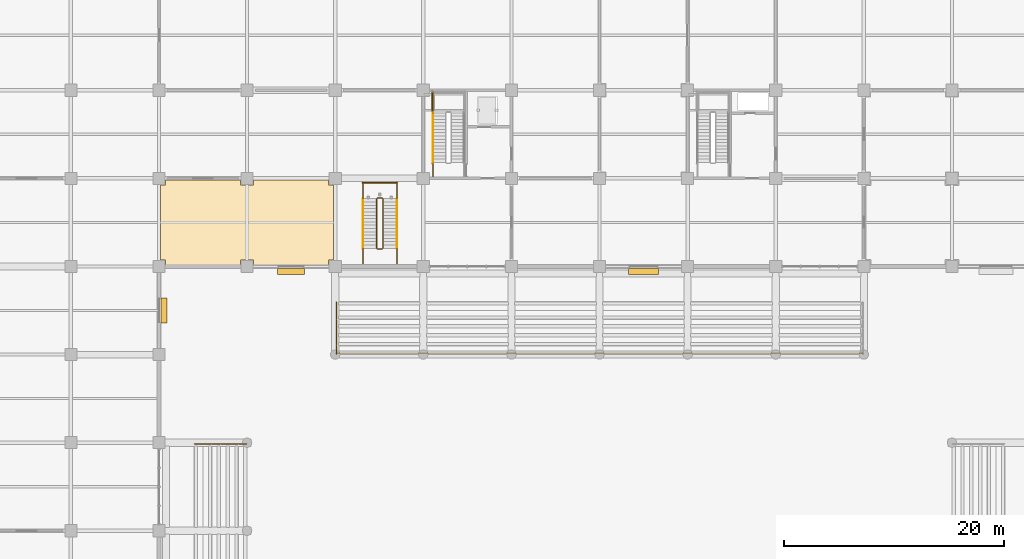
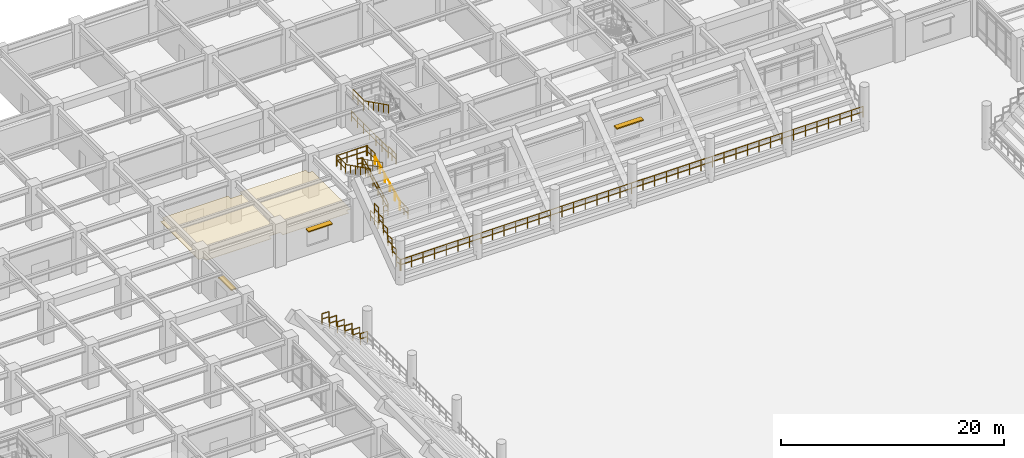
# One storey, part 121 of 125: 28 railings, 3 shading devices, 1 covering.
"""IFC4 building model written with IfcOpenShell, lengths in metres."""

import ifcopenshell
import ifcopenshell.guid

model = None  # the IFC model being written
_history = None  # IfcOwnerHistory: only IFC2X3 demands one
_inside = {}  # id of a spatial element -> (the spatial element, [elements in it])
_under = {}  # id of a project, library or spatial element -> (it, [spatial elements below it])
_declared = {}  # id of a project -> (the project, [libraries it declares])
_typed = {}  # id of a type object -> (the type object, [elements of that type])
_made_of = {}  # id of a material, layer set ... -> (it, [elements and type objects made of it])


def new_model(schema):
    """Start an empty IFC model of exactly this schema.

    Asked for "IFC4X3", IfcOpenShell would pick the latest addendum, in which some entities
    have other attributes; the version numbers below select the first issue.
    IFC2X3 requires an IfcOwnerHistory on every rooted entity: one is made here for all.
    """
    global model, _history
    if schema == "IFC4X3":
        model = ifcopenshell.file(schema_version=(4, 3, 0, 0))
    else:
        model = ifcopenshell.file(schema=schema)
    _inside.clear()
    _under.clear()
    _declared.clear()
    _typed.clear()
    _made_of.clear()
    _history = None
    if model.schema == "IFC2X3":
        org = make("IfcOrganization", Name="unknown")
        user = make(
            "IfcPersonAndOrganization",
            ThePerson=make("IfcPerson", FamilyName="unknown"),
            TheOrganization=org,
        )
        app = make(
            "IfcApplication",
            ApplicationDeveloper=org,
            Version="unknown",
            ApplicationFullName="unknown",
            ApplicationIdentifier="unknown",
        )
        _history = make(
            "IfcOwnerHistory",
            OwningUser=user,
            OwningApplication=app,
            ChangeAction="ADDED",
            CreationDate=0,
        )
    return model


def make(cls, **values):
    """One entity of the class cls with the attributes given. An attribute that is None is left unset."""
    return model.create_entity(
        cls, **{name: value for name, value in values.items() if value is not None}
    )


def rooted(cls, **values):
    """An entity with a GlobalId (a new one), such as an element, a storey or a relation."""
    return make(cls, GlobalId=ifcopenshell.guid.new(), OwnerHistory=_history, **values)


def si_unit(unit_type, name, prefix=None):
    """IfcSIUnit, for example si_unit("LENGTHUNIT", "METRE", prefix="MILLI")."""
    return make("IfcSIUnit", UnitType=unit_type, Prefix=prefix, Name=name)


def assignment(units):
    """IfcUnitAssignment: the units of a project."""
    return None if units is None else make("IfcUnitAssignment", Units=units)


def point(xyz):
    """IfcCartesianPoint."""
    return None if xyz is None else make("IfcCartesianPoint", Coordinates=xyz)


def direction(xyz):
    """IfcDirection."""
    return None if xyz is None else make("IfcDirection", DirectionRatios=xyz)


def frame(location, z_axis=None, x_axis=None):
    """IfcAxis2Placement3D, a coordinate frame: its origin and axes. An axis left out is left unset."""
    return make(
        "IfcAxis2Placement3D",
        Location=point(location),
        Axis=direction(z_axis),
        RefDirection=direction(x_axis),
    )


def frame_2d(location, x_axis=None):
    """IfcAxis2Placement2D, a coordinate frame in the plane: its origin and x axis."""
    return make(
        "IfcAxis2Placement2D", Location=point(location), RefDirection=direction(x_axis)
    )


def origin():
    """The frame at (0, 0, 0) with its axes left unset."""
    return frame((0.0, 0.0, 0.0))


def origin_2d():
    """The frame at (0, 0) in the plane with its x axis left unset."""
    return frame_2d((0.0, 0.0))


def place(relative_to, where):
    """IfcLocalPlacement: puts the frame where relative to a parent placement (None: the world)."""
    return make(
        "IfcLocalPlacement", PlacementRelTo=relative_to, RelativePlacement=where
    )


def context(
    kind, dimensions, precision=None, world=None, true_north=None, identifier=None
):
    """IfcGeometricRepresentationContext, for example the 3D "Model" context."""
    return make(
        "IfcGeometricRepresentationContext",
        ContextIdentifier=identifier,
        ContextType=kind,
        CoordinateSpaceDimension=dimensions,
        Precision=precision,
        WorldCoordinateSystem=world,
        TrueNorth=true_north,
    )


def subcontext(parent, identifier, kind, view, scale=None):
    """IfcGeometricRepresentationSubContext, for example "Body" below "Model"."""
    return make(
        "IfcGeometricRepresentationSubContext",
        ContextIdentifier=identifier,
        ContextType=kind,
        ParentContext=parent,
        TargetScale=scale,
        TargetView=view,
    )


def project(units=None, contexts=None):
    """IfcProject with its units and contexts."""
    return rooted(
        "IfcProject",
        Name="project",
        RepresentationContexts=contexts,
        UnitsInContext=assignment(units),
    )


def spatial(cls, under=None, at=None, **own):
    """A site, building, storey or space (cls), placed at a placement, below another one or the project."""
    s = rooted(cls, ObjectPlacement=at, **own)
    if under is not None:
        _under.setdefault(under.id(), (under, []))[1].append(s)
    return s


def polyline(points):
    """IfcPolyline through the points."""
    return make("IfcPolyline", Points=[point(p) for p in points])


def profile(cls, at=None, kind="AREA", **sizes):
    """A parametric profile (cls). Its sizes go by their IFC names, for example OverallWidth=200.0."""
    return make(cls, ProfileType=kind, Position=at, **sizes)


def rectangle(**sizes):
    """IfcRectangleProfileDef."""
    return profile("IfcRectangleProfileDef", **sizes)


def circle(**sizes):
    """IfcCircleProfileDef."""
    return profile("IfcCircleProfileDef", **sizes)


def outline(outer, holes=None, kind="AREA"):
    """IfcArbitraryClosedProfileDef: a profile drawn as a closed curve; with holes, ...WithVoids."""
    if holes is None:
        return make("IfcArbitraryClosedProfileDef", ProfileType=kind, OuterCurve=outer)
    return make(
        "IfcArbitraryProfileDefWithVoids",
        ProfileType=kind,
        OuterCurve=outer,
        InnerCurves=holes,
    )


def extrude(swept, where, along, depth):
    """IfcExtrudedAreaSolid: the profile swept, set in the frame where, extruded along a direction by depth."""
    return make(
        "IfcExtrudedAreaSolid",
        SweptArea=swept,
        Position=where,
        ExtrudedDirection=direction(along),
        Depth=depth,
    )


def shape(context_of_items, identifier, shape_type, items):
    """IfcShapeRepresentation: the items that make up one representation, for example the "Body"."""
    return make(
        "IfcShapeRepresentation",
        ContextOfItems=context_of_items,
        RepresentationIdentifier=identifier,
        RepresentationType=shape_type,
        Items=items,
    )


def material(Name=None, Category=None):
    """IfcMaterial."""
    return make("IfcMaterial", Name=Name, Category=Category)


def layer(
    of_material, thickness, ventilated=None, Name=None, Category=None, Priority=None
):
    """IfcMaterialLayer: one layer of a wall or slab, of a material (None: an air gap)."""
    return make(
        "IfcMaterialLayer",
        Material=of_material,
        LayerThickness=thickness,
        IsVentilated=ventilated,
        Name=Name,
        Category=Category,
        Priority=Priority,
    )


def layer_set(layers, Name=None):
    """IfcMaterialLayerSet."""
    return make("IfcMaterialLayerSet", MaterialLayers=layers, LayerSetName=Name)


def made_of(thing, what):
    """Note that an element or type object is made of a material, layer set ...; save() writes the relation."""
    if what is not None:
        _made_of.setdefault(what.id(), (what, []))[1].append(thing)
    return thing


def type_object(cls, material=None, **own):
    """A type object (cls), such as IfcWallType, which elements share."""
    return made_of(rooted(cls, **own), material)


def element(
    cls,
    number,
    at=None,
    inside=None,
    cuts=None,
    type_object=None,
    material=None,
    context=None,
    identifier="Body",
    shape_type=None,
    held_by="IfcProductDefinitionShape",
    body=None,
    shapes=None,
    **own,
):
    """One element of the class cls, such as IfcWall. Its Tag is "e" and its number.

    at: its placement. inside: the storey or other place that contains it. cuts: it is an
    opening in that element (IfcRelVoidsElement). A single representation is given by context,
    identifier, shape_type and body (its items); several are given by shapes. held_by: the class
    of the entity that holds the representations. save() writes the other relations.
    """
    e = rooted(cls, Tag="e%d" % number, ObjectPlacement=at, **own)
    if body is not None:
        shapes = [shape(context, identifier, shape_type, body)]
    if shapes is not None:
        e.Representation = make(held_by, Representations=shapes)
    if inside is not None:
        _inside.setdefault(inside.id(), (inside, []))[1].append(e)
    if cuts is not None:
        rooted(
            "IfcRelVoidsElement", RelatingBuildingElement=cuts, RelatedOpeningElement=e
        )
    if type_object is not None:
        _typed.setdefault(type_object.id(), (type_object, []))[1].append(e)
    return made_of(e, material)


def aggregate(whole, parts):
    """IfcRelAggregates: a whole, such as a stair, and the parts it consists of."""
    return rooted("IfcRelAggregates", RelatingObject=whole, RelatedObjects=parts)


def save(model, path):
    """Write the relations noted so far, then the file.

    IfcRelAggregates (storeys below a building ...), IfcRelContainedInSpatialStructure (elements
    in a storey), IfcRelDefinesByType, IfcRelAssociatesMaterial and IfcRelDeclares: one each for
    every whole, place, type object, material and project.
    """
    for whole, parts in _under.values():
        aggregate(whole, parts)
    for where, things in _inside.values():
        rooted(
            "IfcRelContainedInSpatialStructure",
            RelatedElements=things,
            RelatingStructure=where,
        )
    for kind, things in _typed.values():
        rooted("IfcRelDefinesByType", RelatedObjects=things, RelatingType=kind)
    for what, things in _made_of.values():
        rooted("IfcRelAssociatesMaterial", RelatedObjects=things, RelatingMaterial=what)
    for by, libraries in _declared.values():
        rooted("IfcRelDeclares", RelatingContext=by, RelatedDefinitions=libraries)
    model.write(path)


model = new_model("IFC4")

# Units and contexts
model_context = context("Model", 3, precision=1e-05, world=origin(), true_north=direction((0.0, 1.0)))
body_context = subcontext(model_context, "Body", "Model", "MODEL_VIEW")
ifc_project = project(units=[si_unit("LENGTHUNIT", "METRE"), si_unit("AREAUNIT", "SQUARE_METRE"), si_unit("VOLUMEUNIT", "CUBIC_METRE"), si_unit("PLANEANGLEUNIT", "RADIAN"), si_unit("MASSUNIT", "GRAM", prefix="KILO")], contexts=[model_context])

# Site, building, storey
site_placement = place(None, origin())
site = spatial("IfcSite", under=ifc_project, at=site_placement, CompositionType="ELEMENT")
building_placement = place(site_placement, origin())
building = spatial("IfcBuilding", under=site, at=building_placement, Name="Haebicheon Civic Stadium", CompositionType="ELEMENT")
storey_placement = place(building_placement, origin())
storey = spatial("IfcBuildingStorey", under=building, at=storey_placement, Name="L01", CompositionType="ELEMENT", Elevation=0.0)

# Covering
ifc_material_1 = material(Name="Perforated mineral-fibre acoustic board", Category="gypsum")
ifc_layer_1 = layer(ifc_material_1, 0.0400390625, Name="Perforated mineral-fibre acoustic board")
ifc_layer_set_1 = layer_set([ifc_layer_1], Name="Perforated mineral-fibre acoustic board")
covering_type = type_object("IfcCoveringType", Name="COV-CLG-AC", PredefinedType="CEILING", material=ifc_layer_set_1)
covering_placement = place(storey_placement, frame((0.0, 0.0, 2.81005859375)))
element("IfcCovering", 1, at=covering_placement, inside=storey, type_object=covering_type, material=ifc_layer_set_1, Name="L01 Main Spectator Concourse acoustic ceiling", PredefinedType="CEILING", context=body_context, shape_type="SweptSolid", body=[
    extrude(outline(polyline([(64.14501953125, 159.405029296875), (64.594970703125, 159.405029296875), (64.594970703125, 159.85498046875), (71.405029296875, 159.85498046875), (71.405029296875, 159.405029296875), (72.594970703125, 159.405029296875), (72.594970703125, 159.85498046875), (79.405029296875, 159.85498046875), (79.405029296875, 159.405029296875), (79.85498046875, 159.405029296875), (79.85498046875, 152.594970703125), (79.405029296875, 152.594970703125), (79.405029296875, 152.14501953125), (72.594970703125, 152.14501953125), (72.594970703125, 152.594970703125), (71.405029296875, 152.594970703125), (71.405029296875, 152.14501953125), (64.594970703125, 152.14501953125), (64.594970703125, 152.594970703125), (64.14501953125, 152.594970703125), (64.14501953125, 159.405029296875)])), origin(), (0.0, 0.0, 1.0), 0.0400390625),
])

# Railings
ifc_material_2 = material(Name="Stainless steel 316 and laminated glass", Category="steel")
railing_type_1 = type_object("IfcRailingType", Name="RL-BAL-1200", PredefinedType="BALUSTRADE", material=ifc_material_2)
for number, where, name in (
    (2, (71.239990234375, 135.89990234375, 1.199951171875), "TIER-W-L end-aisle side guard N.1"),
    (3, (70.43994140625, 135.89990234375, 1.910888671875), "TIER-W-L end-aisle side guard N.2"),
):
    element("IfcRailing", number, at=place(storey_placement, frame(where)), inside=storey, type_object=railing_type_1, material=ifc_material_2, Name=name, PredefinedType="BALUSTRADE", context=body_context, shape_type="SweptSolid", body=[
        extrude(circle(Radius=0.02392578125, at=origin_2d()), frame((0.0, 0.0, 1.17578125), z_axis=(1.0, 0.0, 0.0), x_axis=(0.0, 1.0, 0.0)), (0.0, 0.0, 1.0), 0.719970703125),
        extrude(circle(Radius=0.02392578125, at=origin_2d()), frame((0.0, 0.0, 0.60009765625), z_axis=(1.0, 0.0, 0.0), x_axis=(0.0, 1.0, 0.0)), (0.0, 0.0, 1.0), 0.719970703125),
        extrude(circle(Radius=0.02099609375, at=origin_2d()), origin(), (0.0, 0.0, 1.0), 1.15185546875),
        extrude(circle(Radius=0.02099609375, at=origin_2d()), frame((0.719970703125, 0.0, 0.0)), (0.0, 0.0, 1.0), 1.15185546875),
    ])
railing_1_placement = place(storey_placement, frame((69.639892578125, 135.89990234375, 2.6220703125)))
element("IfcRailing", 4, at=railing_1_placement, inside=storey, type_object=railing_type_1, material=ifc_material_2, Name="TIER-W-L end-aisle side guard N.3", PredefinedType="BALUSTRADE", context=body_context, shape_type="SweptSolid", body=[
    extrude(circle(Radius=0.02392578125, at=origin_2d()), frame((0.0, 0.0, 1.17578125), z_axis=(1.0, 0.0, 0.0), x_axis=(0.0, 1.0, 0.0)), (0.0, 0.0, 1.0), 0.72021484375),
    extrude(circle(Radius=0.02392578125, at=origin_2d()), frame((0.0, 0.0, 0.60009765625), z_axis=(1.0, 0.0, 0.0), x_axis=(0.0, 1.0, 0.0)), (0.0, 0.0, 1.0), 0.72021484375),
    extrude(circle(Radius=0.02099609375, at=origin_2d()), origin(), (0.0, 0.0, 1.0), 1.15185546875),
    extrude(circle(Radius=0.02099609375, at=origin_2d()), frame((0.72021484375, 0.0, 0.0)), (0.0, 0.0, 1.0), 1.15185546875),
])
for number, where, name in (
    (5, (68.840087890625, 135.89990234375, 3.3330078125), "TIER-W-L end-aisle side guard N.4"),
    (6, (68.0400390625, 135.89990234375, 4.0439453125), "TIER-W-L end-aisle side guard N.5"),
    (7, (67.239990234375, 135.89990234375, 4.756103515625), "TIER-W-L end-aisle side guard N.6"),
):
    element("IfcRailing", number, at=place(storey_placement, frame(where)), inside=storey, type_object=railing_type_1, material=ifc_material_2, Name=name, PredefinedType="BALUSTRADE", context=body_context, shape_type="SweptSolid", body=[
        extrude(circle(Radius=0.02392578125, at=origin_2d()), frame((0.0, 0.0, 1.17578125), z_axis=(1.0, 0.0, 0.0), x_axis=(0.0, 1.0, 0.0)), (0.0, 0.0, 1.0), 0.719970703125),
        extrude(circle(Radius=0.02392578125, at=origin_2d()), frame((0.0, 0.0, 0.60009765625), z_axis=(1.0, 0.0, 0.0), x_axis=(0.0, 1.0, 0.0)), (0.0, 0.0, 1.0), 0.719970703125),
        extrude(circle(Radius=0.02099609375, at=origin_2d()), origin(), (0.0, 0.0, 1.0), 1.15185546875),
        extrude(circle(Radius=0.02099609375, at=origin_2d()), frame((0.719970703125, 0.0, 0.0)), (0.0, 0.0, 1.0), 1.15185546875),
    ])
railing_2_placement = place(storey_placement, frame((80.06005859375, 144.1201171875, 1.199951171875)))
element("IfcRailing", 8, at=railing_2_placement, inside=storey, type_object=railing_type_1, material=ifc_material_2, Name="TIER-N-L pitchside sightline balustrade", PredefinedType="BALUSTRADE", context=body_context, shape_type="SweptSolid", body=[
    extrude(circle(Radius=0.02392578125, at=origin_2d()), frame((0.0, 0.0, 1.17578125), z_axis=(1.0, 0.0, 0.0), x_axis=(0.0, 1.0, 0.0)), (0.0, 0.0, 1.0), 47.8798828125),
    extrude(circle(Radius=0.02392578125, at=origin_2d()), frame((0.0, 0.0, 0.60009765625), z_axis=(1.0, 0.0, 0.0), x_axis=(0.0, 1.0, 0.0)), (0.0, 0.0, 1.0), 47.8798828125),
    extrude(circle(Radius=0.02099609375, at=origin_2d()), origin(), (0.0, 0.0, 1.0), 1.15185546875),
    extrude(circle(Radius=0.02099609375, at=origin_2d()), frame((1.197021484375, 0.0, 0.0)), (0.0, 0.0, 1.0), 1.15185546875),
    extrude(circle(Radius=0.02099609375, at=origin_2d()), frame((2.39404296875, 0.0, 0.0)), (0.0, 0.0, 1.0), 1.15185546875),
    extrude(circle(Radius=0.02099609375, at=origin_2d()), frame((3.591064453125, 0.0, 0.0)), (0.0, 0.0, 1.0), 1.15185546875),
    extrude(circle(Radius=0.02099609375, at=origin_2d()), frame((4.7880859375, 0.0, 0.0)), (0.0, 0.0, 1.0), 1.15185546875),
    extrude(circle(Radius=0.02099609375, at=origin_2d()), frame((5.98486328125, 0.0, 0.0)), (0.0, 0.0, 1.0), 1.15185546875),
    extrude(circle(Radius=0.02099609375, at=origin_2d()), frame((7.181884765625, 0.0, 0.0)), (0.0, 0.0, 1.0), 1.15185546875),
    extrude(circle(Radius=0.02099609375, at=origin_2d()), frame((8.37890625, 0.0, 0.0)), (0.0, 0.0, 1.0), 1.15185546875),
    extrude(circle(Radius=0.02099609375, at=origin_2d()), frame((9.575927734375, 0.0, 0.0)), (0.0, 0.0, 1.0), 1.15185546875),
    extrude(circle(Radius=0.02099609375, at=origin_2d()), frame((10.77294921875, 0.0, 0.0)), (0.0, 0.0, 1.0), 1.15185546875),
    extrude(circle(Radius=0.02099609375, at=origin_2d()), frame((11.969970703125, 0.0, 0.0)), (0.0, 0.0, 1.0), 1.15185546875),
    extrude(circle(Radius=0.02099609375, at=origin_2d()), frame((13.1669921875, 0.0, 0.0)), (0.0, 0.0, 1.0), 1.15185546875),
    extrude(circle(Radius=0.02099609375, at=origin_2d()), frame((14.364013671875, 0.0, 0.0)), (0.0, 0.0, 1.0), 1.15185546875),
    extrude(circle(Radius=0.02099609375, at=origin_2d()), frame((15.56103515625, 0.0, 0.0)), (0.0, 0.0, 1.0), 1.15185546875),
    extrude(circle(Radius=0.02099609375, at=origin_2d()), frame((16.758056640625, 0.0, 0.0)), (0.0, 0.0, 1.0), 1.15185546875),
    extrude(circle(Radius=0.02099609375, at=origin_2d()), frame((17.955078125, 0.0, 0.0)), (0.0, 0.0, 1.0), 1.15185546875),
    extrude(circle(Radius=0.02099609375, at=origin_2d()), frame((19.15185546875, 0.0, 0.0)), (0.0, 0.0, 1.0), 1.15185546875),
    extrude(circle(Radius=0.02099609375, at=origin_2d()), frame((20.348876953125, 0.0, 0.0)), (0.0, 0.0, 1.0), 1.15185546875),
    extrude(circle(Radius=0.02099609375, at=origin_2d()), frame((21.5458984375, 0.0, 0.0)), (0.0, 0.0, 1.0), 1.15185546875),
    extrude(circle(Radius=0.02099609375, at=origin_2d()), frame((22.742919921875, 0.0, 0.0)), (0.0, 0.0, 1.0), 1.15185546875),
    extrude(circle(Radius=0.02099609375, at=origin_2d()), frame((23.93994140625, 0.0, 0.0)), (0.0, 0.0, 1.0), 1.15185546875),
    extrude(circle(Radius=0.02099609375, at=origin_2d()), frame((25.136962890625, 0.0, 0.0)), (0.0, 0.0, 1.0), 1.15185546875),
    extrude(circle(Radius=0.02099609375, at=origin_2d()), frame((26.333984375, 0.0, 0.0)), (0.0, 0.0, 1.0), 1.15185546875),
    extrude(circle(Radius=0.02099609375, at=origin_2d()), frame((27.531005859375, 0.0, 0.0)), (0.0, 0.0, 1.0), 1.15185546875),
    extrude(circle(Radius=0.02099609375, at=origin_2d()), frame((28.72802734375, 0.0, 0.0)), (0.0, 0.0, 1.0), 1.15185546875),
    extrude(circle(Radius=0.02099609375, at=origin_2d()), frame((29.9248046875, 0.0, 0.0)), (0.0, 0.0, 1.0), 1.15185546875),
    extrude(circle(Radius=0.02099609375, at=origin_2d()), frame((31.121826171875, 0.0, 0.0)), (0.0, 0.0, 1.0), 1.15185546875),
    extrude(circle(Radius=0.02099609375, at=origin_2d()), frame((32.31884765625, 0.0, 0.0)), (0.0, 0.0, 1.0), 1.15185546875),
    extrude(circle(Radius=0.02099609375, at=origin_2d()), frame((33.515869140625, 0.0, 0.0)), (0.0, 0.0, 1.0), 1.15185546875),
    extrude(circle(Radius=0.02099609375, at=origin_2d()), frame((34.712890625, 0.0, 0.0)), (0.0, 0.0, 1.0), 1.15185546875),
    extrude(circle(Radius=0.02099609375, at=origin_2d()), frame((35.909912109375, 0.0, 0.0)), (0.0, 0.0, 1.0), 1.15185546875),
    extrude(circle(Radius=0.02099609375, at=origin_2d()), frame((37.10693359375, 0.0, 0.0)), (0.0, 0.0, 1.0), 1.15185546875),
    extrude(circle(Radius=0.02099609375, at=origin_2d()), frame((38.303955078125, 0.0, 0.0)), (0.0, 0.0, 1.0), 1.15185546875),
    extrude(circle(Radius=0.02099609375, at=origin_2d()), frame((39.5009765625, 0.0, 0.0)), (0.0, 0.0, 1.0), 1.15185546875),
    extrude(circle(Radius=0.02099609375, at=origin_2d()), frame((40.697998046875, 0.0, 0.0)), (0.0, 0.0, 1.0), 1.15185546875),
    extrude(circle(Radius=0.02099609375, at=origin_2d()), frame((41.89501953125, 0.0, 0.0)), (0.0, 0.0, 1.0), 1.15185546875),
    extrude(circle(Radius=0.02099609375, at=origin_2d()), frame((43.091796875, 0.0, 0.0)), (0.0, 0.0, 1.0), 1.15185546875),
    extrude(circle(Radius=0.02099609375, at=origin_2d()), frame((44.288818359375, 0.0, 0.0)), (0.0, 0.0, 1.0), 1.15185546875),
    extrude(circle(Radius=0.02099609375, at=origin_2d()), frame((45.48583984375, 0.0, 0.0)), (0.0, 0.0, 1.0), 1.15185546875),
    extrude(circle(Radius=0.02099609375, at=origin_2d()), frame((46.682861328125, 0.0, 0.0)), (0.0, 0.0, 1.0), 1.15185546875),
    extrude(circle(Radius=0.02099609375, at=origin_2d()), frame((47.8798828125, 0.0, 0.0)), (0.0, 0.0, 1.0), 1.15185546875),
])
for number, where, name in (
    (9, (80.10009765625, 144.0400390625, 1.199951171875), "TIER-N-L end-aisle side guard W.1"),
    (10, (80.10009765625, 144.840087890625, 1.866943359375), "TIER-N-L end-aisle side guard W.2"),
):
    element("IfcRailing", number, at=place(storey_placement, frame(where)), inside=storey, type_object=railing_type_1, material=ifc_material_2, Name=name, PredefinedType="BALUSTRADE", context=body_context, shape_type="SweptSolid", body=[
        extrude(circle(Radius=0.02392578125, at=origin_2d()), frame((0.0, 0.0, 1.17578125), z_axis=(0.0, 1.0, 0.0), x_axis=(-1.0, 0.0, 0.0)), (0.0, 0.0, 1.0), 0.719970703125),
        extrude(circle(Radius=0.02392578125, at=origin_2d()), frame((0.0, 0.0, 0.60009765625), z_axis=(0.0, 1.0, 0.0), x_axis=(-1.0, 0.0, 0.0)), (0.0, 0.0, 1.0), 0.719970703125),
        extrude(circle(Radius=0.02099609375, at=origin_2d()), origin(), (0.0, 0.0, 1.0), 1.15185546875),
        extrude(circle(Radius=0.02099609375, at=origin_2d()), frame((0.0, 0.719970703125, 0.0)), (0.0, 0.0, 1.0), 1.15185546875),
    ])
railing_3_placement = place(storey_placement, frame((80.10009765625, 145.639892578125, 2.532958984375)))
element("IfcRailing", 11, at=railing_3_placement, inside=storey, type_object=railing_type_1, material=ifc_material_2, Name="TIER-N-L end-aisle side guard W.3", PredefinedType="BALUSTRADE", context=body_context, shape_type="SweptSolid", body=[
    extrude(circle(Radius=0.02392578125, at=origin_2d()), frame((0.0, 0.0, 1.17578125), z_axis=(0.0, 1.0, 0.0), x_axis=(-1.0, 0.0, 0.0)), (0.0, 0.0, 1.0), 0.72021484375),
    extrude(circle(Radius=0.02392578125, at=origin_2d()), frame((0.0, 0.0, 0.60009765625), z_axis=(0.0, 1.0, 0.0), x_axis=(-1.0, 0.0, 0.0)), (0.0, 0.0, 1.0), 0.72021484375),
    extrude(circle(Radius=0.02099609375, at=origin_2d()), origin(), (0.0, 0.0, 1.0), 1.15185546875),
    extrude(circle(Radius=0.02099609375, at=origin_2d()), frame((0.0, 0.72021484375, 0.0)), (0.0, 0.0, 1.0), 1.15185546875),
])
for number, where, name in (
    (12, (80.10009765625, 146.43994140625, 3.199951171875), "TIER-N-L end-aisle side guard W.4"),
    (13, (80.10009765625, 147.239990234375, 3.866943359375), "TIER-N-L end-aisle side guard W.5"),
    (14, (80.10009765625, 148.0400390625, 4.532958984375), "TIER-N-L end-aisle side guard W.6"),
):
    element("IfcRailing", number, at=place(storey_placement, frame(where)), inside=storey, type_object=railing_type_1, material=ifc_material_2, Name=name, PredefinedType="BALUSTRADE", context=body_context, shape_type="SweptSolid", body=[
        extrude(circle(Radius=0.02392578125, at=origin_2d()), frame((0.0, 0.0, 1.17578125), z_axis=(0.0, 1.0, 0.0), x_axis=(-1.0, 0.0, 0.0)), (0.0, 0.0, 1.0), 0.719970703125),
        extrude(circle(Radius=0.02392578125, at=origin_2d()), frame((0.0, 0.0, 0.60009765625), z_axis=(0.0, 1.0, 0.0), x_axis=(-1.0, 0.0, 0.0)), (0.0, 0.0, 1.0), 0.719970703125),
        extrude(circle(Radius=0.02099609375, at=origin_2d()), origin(), (0.0, 0.0, 1.0), 1.15185546875),
        extrude(circle(Radius=0.02099609375, at=origin_2d()), frame((0.0, 0.719970703125, 0.0)), (0.0, 0.0, 1.0), 1.15185546875),
    ])
ifc_material_3 = material(Name="Galvanised painted steel SM355", Category="steel")
railing_type_2 = type_object("IfcRailingType", Name="RL-GRD-1150", PredefinedType="GUARDRAIL", material=ifc_material_3)
railing_4_placement = place(storey_placement, frame((88.889892578125, 165.949951171875, 2.39990234375)))
element("IfcRailing", 15, at=railing_4_placement, inside=storey, type_object=railing_type_2, material=ifc_material_3, Name="L01 ST-08 stair guard 4", PredefinedType="GUARDRAIL", context=body_context, shape_type="SweptSolid", body=[
    extrude(circle(Radius=0.02392578125, at=origin_2d()), frame((0.0, 0.0, 1.1259765625), z_axis=(0.0, 1.0, 0.0), x_axis=(-1.0, 0.0, 0.0)), (0.0, 0.0, 1.0), 1.89013671875),
    extrude(circle(Radius=0.02392578125, at=origin_2d()), frame((0.0, 0.0, 0.574951171875), z_axis=(0.0, 1.0, 0.0), x_axis=(-1.0, 0.0, 0.0)), (0.0, 0.0, 1.0), 1.89013671875),
    extrude(circle(Radius=0.02099609375, at=origin_2d()), origin(), (0.0, 0.0, 1.0), 1.101806640625),
    extrude(circle(Radius=0.02099609375, at=origin_2d()), frame((0.0, 0.945068359375, 0.0)), (0.0, 0.0, 1.0), 1.101806640625),
    extrude(circle(Radius=0.02099609375, at=origin_2d()), frame((0.0, 1.89013671875, 0.0)), (0.0, 0.0, 1.0), 1.101806640625),
])
railing_5_placement = place(storey_placement, frame((88.889892578125, 160.159912109375, 0.0)))
element("IfcRailing", 16, at=railing_5_placement, inside=storey, type_object=railing_type_2, material=ifc_material_3, Name="L01 ST-08 stair guard 9", PredefinedType="GUARDRAIL", context=body_context, shape_type="SweptSolid", body=[
    extrude(circle(Radius=0.02392578125, at=origin_2d()), frame((0.0, 0.0, 1.1259765625), z_axis=(0.0, 1.0, 0.0), x_axis=(-1.0, 0.0, 0.0)), (0.0, 0.0, 1.0), 1.2900390625),
    extrude(circle(Radius=0.02392578125, at=origin_2d()), frame((0.0, 0.0, 0.574951171875), z_axis=(0.0, 1.0, 0.0), x_axis=(-1.0, 0.0, 0.0)), (0.0, 0.0, 1.0), 1.2900390625),
    extrude(circle(Radius=0.02099609375, at=origin_2d()), origin(), (0.0, 0.0, 1.0), 1.101806640625),
    extrude(circle(Radius=0.02099609375, at=origin_2d()), frame((0.0, 0.64501953125, 0.0)), (0.0, 0.0, 1.0), 1.101806640625),
    extrude(circle(Radius=0.02099609375, at=origin_2d()), frame((0.0, 1.2900390625, 0.0)), (0.0, 0.0, 1.0), 1.101806640625),
])
railing_6_placement = place(storey_placement, frame((88.7900390625, 161.35009765625, 0.0)))
element("IfcRailing", 17, at=railing_6_placement, inside=storey, type_object=railing_type_2, material=ifc_material_3, Name="L01 ST-08 stair guard 11", PredefinedType="GUARDRAIL", context=body_context, shape_type="SweptSolid", body=[
    extrude(circle(Radius=0.02392578125, at=origin_2d()), frame((0.0, 0.0, 1.1259765625), z_axis=(0.0, 1.0, 0.0), x_axis=(-1.0, 0.0, 0.0)), (0.0, 0.0, 1.0), 6.58984375),
    extrude(circle(Radius=0.02392578125, at=origin_2d()), frame((0.0, 0.0, 0.574951171875), z_axis=(0.0, 1.0, 0.0), x_axis=(-1.0, 0.0, 0.0)), (0.0, 0.0, 1.0), 6.58984375),
    extrude(circle(Radius=0.02099609375, at=origin_2d()), origin(), (0.0, 0.0, 1.0), 1.101806640625),
    extrude(circle(Radius=0.02099609375, at=origin_2d()), frame((0.0, 1.098388671875, 0.0)), (0.0, 0.0, 1.0), 1.101806640625),
    extrude(circle(Radius=0.02099609375, at=origin_2d()), frame((0.0, 2.196533203125, 0.0)), (0.0, 0.0, 1.0), 1.101806640625),
    extrude(circle(Radius=0.02099609375, at=origin_2d()), frame((0.0, 3.294921875, 0.0)), (0.0, 0.0, 1.0), 1.101806640625),
    extrude(circle(Radius=0.02099609375, at=origin_2d()), frame((0.0, 4.393310546875, 0.0)), (0.0, 0.0, 1.0), 1.101806640625),
    extrude(circle(Radius=0.02099609375, at=origin_2d()), frame((0.0, 5.491455078125, 0.0)), (0.0, 0.0, 1.0), 1.101806640625),
    extrude(circle(Radius=0.02099609375, at=origin_2d()), frame((0.0, 6.58984375, 0.0)), (0.0, 0.0, 1.0), 1.101806640625),
])
railing_7_placement = place(storey_placement, frame((84.330078125, 153.64990234375, 0.14990234375)))
element("IfcRailing", 18, at=railing_7_placement, inside=storey, type_object=railing_type_2, material=ifc_material_3, Name="L01 VM-09 stair guard 1", PredefinedType="GUARDRAIL", context=body_context, shape_type="SweptSolid", body=[
    extrude(circle(Radius=0.02392578125, at=origin_2d()), frame((0.0, 0.0, 1.1259765625), z_axis=(0.0, 0.894427191, 0.4472135955), x_axis=(-1.0, 0.0, 0.0)), (0.0, 0.0, 1.0), 5.03125),
    extrude(circle(Radius=0.02392578125, at=origin_2d()), frame((0.0, 0.0, 0.574951171875), z_axis=(0.0, 0.894427191, 0.4472135955), x_axis=(-1.0, 0.0, 0.0)), (0.0, 0.0, 1.0), 5.03125),
    extrude(circle(Radius=0.02099609375, at=origin_2d()), origin(), (0.0, 0.0, 1.0), 1.101806640625),
    extrude(circle(Radius=0.02099609375, at=origin_2d()), frame((0.0, 0.89990234375, 0.449951171875)), (0.0, 0.0, 1.0), 1.101806640625),
    extrude(circle(Radius=0.02099609375, at=origin_2d()), frame((0.0, 1.800048828125, 0.89990234375)), (0.0, 0.0, 1.0), 1.101806640625),
    extrude(circle(Radius=0.02099609375, at=origin_2d()), frame((0.0, 2.699951171875, 1.35009765625)), (0.0, 0.0, 1.0), 1.101806640625),
    extrude(circle(Radius=0.02099609375, at=origin_2d()), frame((0.0, 3.60009765625, 1.800048828125)), (0.0, 0.0, 1.0), 1.101806640625),
    extrude(circle(Radius=0.02099609375, at=origin_2d()), frame((0.0, 4.5, 2.25)), (0.0, 0.0, 1.0), 1.101806640625),
])
railing_8_placement = place(storey_placement, frame((84.280029296875, 158.199951171875, 2.39990234375)))
element("IfcRailing", 19, at=railing_8_placement, inside=storey, type_object=railing_type_2, material=ifc_material_3, Name="L01 VM-09 stair guard 2", PredefinedType="GUARDRAIL", context=body_context, shape_type="SweptSolid", body=[
    extrude(circle(Radius=0.02392578125, at=origin_2d()), frame((0.0, 0.0, 1.1259765625), z_axis=(-1.0, 0.0, 0.0), x_axis=(0.0, -1.0, 0.0)), (0.0, 0.0, 1.0), 0.4599609375),
    extrude(circle(Radius=0.02392578125, at=origin_2d()), frame((0.0, 0.0, 0.574951171875), z_axis=(-1.0, 0.0, 0.0), x_axis=(0.0, -1.0, 0.0)), (0.0, 0.0, 1.0), 0.4599609375),
    extrude(circle(Radius=0.02099609375, at=origin_2d()), origin(), (0.0, 0.0, 1.0), 1.101806640625),
    extrude(circle(Radius=0.02099609375, at=origin_2d()), frame((-0.4599609375, 0.0, 0.0)), (0.0, 0.0, 1.0), 1.101806640625),
])
for number, where, name in (
    (20, (85.590087890625, 158.14990234375, 2.39990234375), "L01 VM-09 stair guard 3"),
    (21, (82.510009765625, 158.14990234375, 2.39990234375), "L01 VM-09 stair guard 4"),
):
    element("IfcRailing", number, at=place(storey_placement, frame(where)), inside=storey, type_object=railing_type_2, material=ifc_material_3, Name=name, PredefinedType="GUARDRAIL", context=body_context, shape_type="SweptSolid", body=[
        extrude(circle(Radius=0.02392578125, at=origin_2d()), frame((0.0, 0.0, 1.1259765625), z_axis=(0.0, 1.0, 0.0), x_axis=(-1.0, 0.0, 0.0)), (0.0, 0.0, 1.0), 1.5),
        extrude(circle(Radius=0.02392578125, at=origin_2d()), frame((0.0, 0.0, 0.574951171875), z_axis=(0.0, 1.0, 0.0), x_axis=(-1.0, 0.0, 0.0)), (0.0, 0.0, 1.0), 1.5),
        extrude(circle(Radius=0.02099609375, at=origin_2d()), origin(), (0.0, 0.0, 1.0), 1.101806640625),
        extrude(circle(Radius=0.02099609375, at=origin_2d()), frame((0.0, 0.75, 0.0)), (0.0, 0.0, 1.0), 1.101806640625),
        extrude(circle(Radius=0.02099609375, at=origin_2d()), frame((0.0, 1.5, 0.0)), (0.0, 0.0, 1.0), 1.101806640625),
    ])
railing_9_placement = place(storey_placement, frame((85.639892578125, 159.60009765625, 2.39990234375)))
element("IfcRailing", 22, at=railing_9_placement, inside=storey, type_object=railing_type_2, material=ifc_material_3, Name="L01 VM-09 stair guard 5", PredefinedType="GUARDRAIL", context=body_context, shape_type="SweptSolid", body=[
    extrude(circle(Radius=0.02392578125, at=origin_2d()), frame((0.0, 0.0, 1.1259765625), z_axis=(-1.0, 0.0, 0.0), x_axis=(0.0, -1.0, 0.0)), (0.0, 0.0, 1.0), 3.179931640625),
    extrude(circle(Radius=0.02392578125, at=origin_2d()), frame((0.0, 0.0, 0.574951171875), z_axis=(-1.0, 0.0, 0.0), x_axis=(0.0, -1.0, 0.0)), (0.0, 0.0, 1.0), 3.179931640625),
    extrude(circle(Radius=0.02099609375, at=origin_2d()), origin(), (0.0, 0.0, 1.0), 1.101806640625),
    extrude(circle(Radius=0.02099609375, at=origin_2d()), frame((-1.06005859375, 0.0, 0.0)), (0.0, 0.0, 1.0), 1.101806640625),
    extrude(circle(Radius=0.02099609375, at=origin_2d()), frame((-2.119873046875, 0.0, 0.0)), (0.0, 0.0, 1.0), 1.101806640625),
    extrude(circle(Radius=0.02099609375, at=origin_2d()), frame((-3.179931640625, 0.0, 0.0)), (0.0, 0.0, 1.0), 1.101806640625),
])
railing_10_placement = place(storey_placement, frame((83.77001953125, 158.14990234375, 2.550048828125)))
element("IfcRailing", 23, at=railing_10_placement, inside=storey, type_object=railing_type_2, material=ifc_material_3, Name="L01 VM-09 stair guard 6", PredefinedType="GUARDRAIL", context=body_context, shape_type="SweptSolid", body=[
    extrude(circle(Radius=0.02392578125, at=origin_2d()), frame((0.0, 0.0, 1.1259765625), z_axis=(0.0, -0.894427191, 0.4472135955), x_axis=(1.0, 0.0, 0.0)), (0.0, 0.0, 1.0), 5.03125),
    extrude(circle(Radius=0.02392578125, at=origin_2d()), frame((0.0, 0.0, 0.574951171875), z_axis=(0.0, -0.894427191, 0.4472135955), x_axis=(1.0, 0.0, 0.0)), (0.0, 0.0, 1.0), 5.03125),
    extrude(circle(Radius=0.02099609375, at=origin_2d()), origin(), (0.0, 0.0, 1.0), 1.101806640625),
    extrude(circle(Radius=0.02099609375, at=origin_2d()), frame((0.0, -0.89990234375, 0.449951171875)), (0.0, 0.0, 1.0), 1.101806640625),
    extrude(circle(Radius=0.02099609375, at=origin_2d()), frame((0.0, -1.800048828125, 0.89990234375)), (0.0, 0.0, 1.0), 1.101806640625),
    extrude(circle(Radius=0.02099609375, at=origin_2d()), frame((0.0, -2.699951171875, 1.35009765625)), (0.0, 0.0, 1.0), 1.101806640625),
    extrude(circle(Radius=0.02099609375, at=origin_2d()), frame((0.0, -3.60009765625, 1.800048828125)), (0.0, 0.0, 1.0), 1.101806640625),
    extrude(circle(Radius=0.02099609375, at=origin_2d()), frame((0.0, -4.5, 2.25)), (0.0, 0.0, 1.0), 1.101806640625),
])
railing_11_placement = place(storey_placement, frame((84.280029296875, 153.60009765625, 0.0)))
element("IfcRailing", 24, at=railing_11_placement, inside=storey, type_object=railing_type_2, material=ifc_material_3, Name="L01 VM-09 stair guard 7", PredefinedType="GUARDRAIL", context=body_context, shape_type="SweptSolid", body=[
    extrude(circle(Radius=0.02392578125, at=origin_2d()), frame((0.0, 0.0, 1.1259765625), z_axis=(-1.0, 0.0, 0.0), x_axis=(0.0, -1.0, 0.0)), (0.0, 0.0, 1.0), 0.4599609375),
    extrude(circle(Radius=0.02392578125, at=origin_2d()), frame((0.0, 0.0, 0.574951171875), z_axis=(-1.0, 0.0, 0.0), x_axis=(0.0, -1.0, 0.0)), (0.0, 0.0, 1.0), 0.4599609375),
    extrude(circle(Radius=0.02099609375, at=origin_2d()), origin(), (0.0, 0.0, 1.0), 1.101806640625),
    extrude(circle(Radius=0.02099609375, at=origin_2d()), frame((-0.4599609375, 0.0, 0.0)), (0.0, 0.0, 1.0), 1.101806640625),
])
for number, where, name in (
    (25, (85.590087890625, 152.25, 0.0), "L01 VM-09 stair guard 8"),
    (26, (82.510009765625, 152.25, 0.0), "L01 VM-09 stair guard 9"),
):
    element("IfcRailing", number, at=place(storey_placement, frame(where)), inside=storey, type_object=railing_type_2, material=ifc_material_3, Name=name, PredefinedType="GUARDRAIL", context=body_context, shape_type="SweptSolid", body=[
        extrude(circle(Radius=0.02392578125, at=origin_2d()), frame((0.0, 0.0, 1.1259765625), z_axis=(0.0, 1.0, 0.0), x_axis=(-1.0, 0.0, 0.0)), (0.0, 0.0, 1.0), 1.39990234375),
        extrude(circle(Radius=0.02392578125, at=origin_2d()), frame((0.0, 0.0, 0.574951171875), z_axis=(0.0, 1.0, 0.0), x_axis=(-1.0, 0.0, 0.0)), (0.0, 0.0, 1.0), 1.39990234375),
        extrude(circle(Radius=0.02099609375, at=origin_2d()), origin(), (0.0, 0.0, 1.0), 1.101806640625),
        extrude(circle(Radius=0.02099609375, at=origin_2d()), frame((0.0, 0.699951171875, 0.0)), (0.0, 0.0, 1.0), 1.101806640625),
        extrude(circle(Radius=0.02099609375, at=origin_2d()), frame((0.0, 1.39990234375, 0.0)), (0.0, 0.0, 1.0), 1.101806640625),
    ])
ifc_material_4 = material(Name="Stainless steel 316", Category="steel")
railing_type_3 = type_object("IfcRailingType", Name="RL-HND-900", PredefinedType="HANDRAIL", material=ifc_material_4)
railing_12_placement = place(storey_placement, frame((88.889892578125, 165.949951171875, 2.550048828125)))
element("IfcRailing", 27, at=railing_12_placement, inside=storey, type_object=railing_type_3, material=ifc_material_4, Name="L01 ST-08 stair handrail 2", PredefinedType="HANDRAIL", context=body_context, shape_type="SweptSolid", body=[
    extrude(circle(Radius=0.02392578125, at=origin_2d()), frame((0.0, 0.0, 0.8759765625), z_axis=(0.0, -0.894427191, 0.4472135955), x_axis=(1.0, 0.0, 0.0)), (0.0, 0.0, 1.0), 5.03125),
    extrude(circle(Radius=0.02099609375, at=origin_2d()), origin(), (0.0, 0.0, 1.0), 0.851806640625),
    extrude(circle(Radius=0.02099609375, at=origin_2d()), frame((0.0, -0.89990234375, 0.449951171875)), (0.0, 0.0, 1.0), 0.851806640625),
    extrude(circle(Radius=0.02099609375, at=origin_2d()), frame((0.0, -1.800048828125, 0.89990234375)), (0.0, 0.0, 1.0), 0.851806640625),
    extrude(circle(Radius=0.02099609375, at=origin_2d()), frame((0.0, -2.699951171875, 1.35009765625)), (0.0, 0.0, 1.0), 0.851806640625),
    extrude(circle(Radius=0.02099609375, at=origin_2d()), frame((0.0, -3.60009765625, 1.800048828125)), (0.0, 0.0, 1.0), 0.851806640625),
    extrude(circle(Radius=0.02099609375, at=origin_2d()), frame((0.0, -4.5, 2.25)), (0.0, 0.0, 1.0), 0.851806640625),
])
railing_13_placement = place(storey_placement, frame((85.590087890625, 153.64990234375, 0.14990234375)))
element("IfcRailing", 28, at=railing_13_placement, inside=storey, type_object=railing_type_3, material=ifc_material_4, Name="L01 VM-09 stair handrail 1", PredefinedType="HANDRAIL", context=body_context, shape_type="SweptSolid", body=[
    extrude(circle(Radius=0.02392578125, at=origin_2d()), frame((0.0, 0.0, 0.8759765625), z_axis=(0.0, 0.894427191, 0.4472135955), x_axis=(-1.0, 0.0, 0.0)), (0.0, 0.0, 1.0), 5.03125),
    extrude(circle(Radius=0.02099609375, at=origin_2d()), origin(), (0.0, 0.0, 1.0), 0.851806640625),
    extrude(circle(Radius=0.02099609375, at=origin_2d()), frame((0.0, 0.89990234375, 0.449951171875)), (0.0, 0.0, 1.0), 0.851806640625),
    extrude(circle(Radius=0.02099609375, at=origin_2d()), frame((0.0, 1.800048828125, 0.89990234375)), (0.0, 0.0, 1.0), 0.851806640625),
    extrude(circle(Radius=0.02099609375, at=origin_2d()), frame((0.0, 2.699951171875, 1.35009765625)), (0.0, 0.0, 1.0), 0.851806640625),
    extrude(circle(Radius=0.02099609375, at=origin_2d()), frame((0.0, 3.60009765625, 1.800048828125)), (0.0, 0.0, 1.0), 0.851806640625),
    extrude(circle(Radius=0.02099609375, at=origin_2d()), frame((0.0, 4.5, 2.25)), (0.0, 0.0, 1.0), 0.851806640625),
])
railing_14_placement = place(storey_placement, frame((82.510009765625, 158.14990234375, 2.550048828125)))
element("IfcRailing", 29, at=railing_14_placement, inside=storey, type_object=railing_type_3, material=ifc_material_4, Name="L01 VM-09 stair handrail 2", PredefinedType="HANDRAIL", context=body_context, shape_type="SweptSolid", body=[
    extrude(circle(Radius=0.02392578125, at=origin_2d()), frame((0.0, 0.0, 0.8759765625), z_axis=(0.0, -0.894427191, 0.4472135955), x_axis=(1.0, 0.0, 0.0)), (0.0, 0.0, 1.0), 5.03125),
    extrude(circle(Radius=0.02099609375, at=origin_2d()), origin(), (0.0, 0.0, 1.0), 0.851806640625),
    extrude(circle(Radius=0.02099609375, at=origin_2d()), frame((0.0, -0.89990234375, 0.449951171875)), (0.0, 0.0, 1.0), 0.851806640625),
    extrude(circle(Radius=0.02099609375, at=origin_2d()), frame((0.0, -1.800048828125, 0.89990234375)), (0.0, 0.0, 1.0), 0.851806640625),
    extrude(circle(Radius=0.02099609375, at=origin_2d()), frame((0.0, -2.699951171875, 1.35009765625)), (0.0, 0.0, 1.0), 0.851806640625),
    extrude(circle(Radius=0.02099609375, at=origin_2d()), frame((0.0, -3.60009765625, 1.800048828125)), (0.0, 0.0, 1.0), 0.851806640625),
    extrude(circle(Radius=0.02099609375, at=origin_2d()), frame((0.0, -4.5, 2.25)), (0.0, 0.0, 1.0), 0.851806640625),
])

# Shading devices
ifc_material_5 = material(Name="Anodised aluminium 6063-T6", Category="aluminium")
ifc_layer_2 = layer(ifc_material_5, 0.1201171875, Name="Anodised aluminium 6063-T6")
ifc_layer_set_2 = layer_set([ifc_layer_2], Name="Anodised aluminium 6063-T6")
shading_device_type = type_object("IfcShadingDeviceType", Name="SHD-ALU-LVR", PredefinedType="USERDEFINED", material=ifc_layer_set_2)
shading_device_1_placement = place(storey_placement, frame((64.455078125, 148.0, 2.869873046875), z_axis=(0.0, 0.0, 1.0), x_axis=(1.0, 0.0, 0.0)))
element("IfcShadingDevice", 30, at=shading_device_1_placement, inside=storey, type_object=shading_device_type, material=ifc_layer_set_2, Name="L01 window sunshade louvre hood 03", ObjectType="LOUVRE", PredefinedType="USERDEFINED", context=body_context, shape_type="SweptSolid", body=[
    extrude(rectangle(XDim=0.550048828125, YDim=2.300048828125, at=origin_2d()), origin(), (0.0, 0.0, 1.0), 0.1201171875),
])
shading_device_2_placement = place(storey_placement, frame((76.0, 151.544921875, 2.869873046875), z_axis=(0.0, 0.0, 1.0), x_axis=(1.0, 0.0, 0.0)))
element("IfcShadingDevice", 31, at=shading_device_2_placement, inside=storey, type_object=shading_device_type, material=ifc_layer_set_2, Name="L01 window sunshade louvre hood 04", ObjectType="LOUVRE", PredefinedType="USERDEFINED", context=body_context, shape_type="SweptSolid", body=[
    extrude(rectangle(XDim=2.449951171875, YDim=0.550048828125, at=origin_2d()), origin(), (0.0, 0.0, 1.0), 0.1201171875),
])
shading_device_3_placement = place(storey_placement, frame((108.0, 151.544921875, 2.969970703125), z_axis=(0.0, 0.0, 1.0), x_axis=(1.0, 0.0, 0.0)))
element("IfcShadingDevice", 32, at=shading_device_3_placement, inside=storey, type_object=shading_device_type, material=ifc_layer_set_2, Name="L01 window sunshade louvre hood 05", ObjectType="LOUVRE", PredefinedType="USERDEFINED", context=body_context, shape_type="SweptSolid", body=[
    extrude(rectangle(XDim=2.75, YDim=0.550048828125, at=origin_2d()), origin(), (0.0, 0.0, 1.0), 0.1201171875),
])

save(model, "model.ifc")
